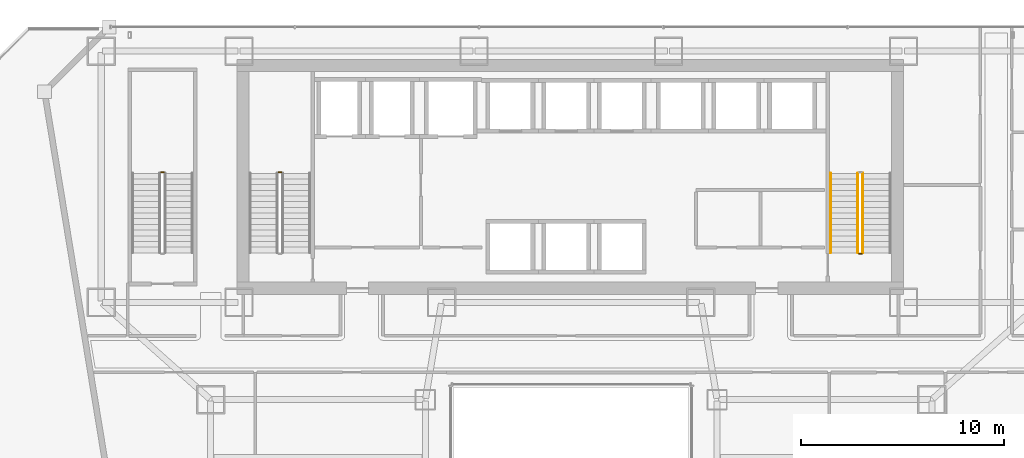
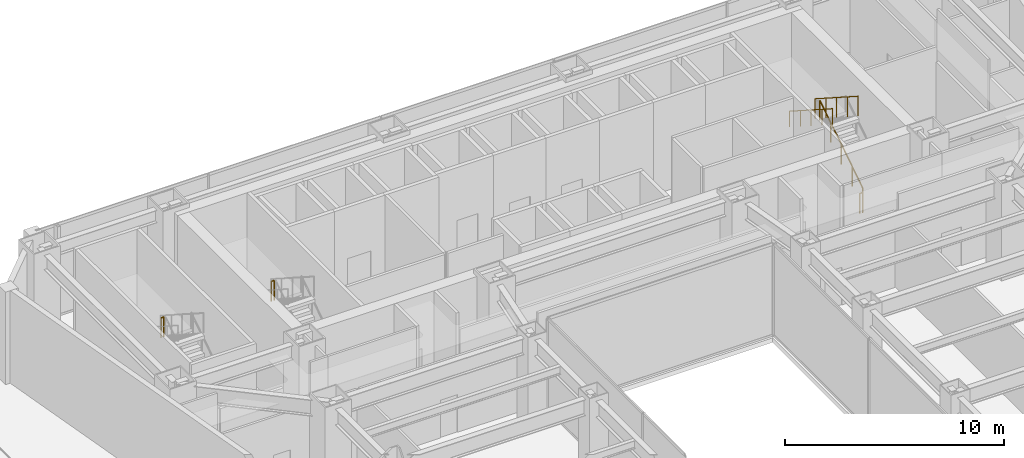
# One storey, part 28 of 29: 6 railings.
"""IFC4 building model written with IfcOpenShell, lengths in metres."""

from ifc_helpers import new_model, si_unit, direction, frame, origin, origin_2d, place, context, subcontext, project, spatial, circle, extrude, material, type_object, element, save


model = new_model("IFC4")

# Units and contexts
model_context = context("Model", 3, precision=1e-05, world=origin(), true_north=direction((0.0, 1.0)))
body_context = subcontext(model_context, "Body", "Model", "MODEL_VIEW")
ifc_project = project(units=[si_unit("LENGTHUNIT", "METRE"), si_unit("AREAUNIT", "SQUARE_METRE"), si_unit("VOLUMEUNIT", "CUBIC_METRE"), si_unit("PLANEANGLEUNIT", "RADIAN"), si_unit("MASSUNIT", "GRAM", prefix="KILO")], contexts=[model_context])

# Site, building, storey
site_placement = place(None, origin())
site = spatial("IfcSite", under=ifc_project, at=site_placement, CompositionType="ELEMENT")
building_placement = place(site_placement, origin())
building = spatial("IfcBuilding", under=site, at=building_placement, Name="Saevonmaru Cultural Tower", CompositionType="ELEMENT")
storey_placement = place(building_placement, frame((0.0, 0.0, 27.60009765625)))
storey = spatial("IfcBuildingStorey", under=building, at=storey_placement, Name="L05", CompositionType="ELEMENT", Elevation=27.60009765625)

# Railings
ifc_material_1 = material(Name="Architectural Painted Steel", Category="steel")
railing_type_1 = type_object("IfcRailingType", Name="RL-STAIR-GUARD", PredefinedType="GUARDRAIL", material=ifc_material_1)
railing_1_placement = place(storey_placement, frame((15.699951171875, 48.820068359375, 2.699951171875)))
element("IfcRailing", 1, at=railing_1_placement, inside=storey, type_object=railing_type_1, Name="L05 ST-1 stair guard 2", PredefinedType="GUARDRAIL", context=body_context, shape_type="SweptSolid", body=[
    extrude(circle(Radius=0.02392578125, at=origin_2d()), frame((0.0, 0.0, 1.09619140625), z_axis=(-1.0, 0.0, 0.0), x_axis=(0.0, -1.0, 0.0)), (0.0, 0.0, 1.0), 0.14990234375),
    extrude(circle(Radius=0.02099609375, at=origin_2d()), origin(), (0.0, 0.0, 1.0), 1.072021484375),
    extrude(circle(Radius=0.02099609375, at=origin_2d()), frame((-0.14990234375, 0.0, 0.0)), (0.0, 0.0, 1.0), 1.072021484375),
])
railing_2_placement = place(storey_placement, frame((44.39990234375, 44.85009765625, 0.179931640625)))
element("IfcRailing", 2, at=railing_2_placement, inside=storey, type_object=railing_type_1, Name="L05 ST-2 stair guard 1", PredefinedType="GUARDRAIL", context=body_context, shape_type="SweptSolid", body=[
    extrude(circle(Radius=0.02392578125, at=origin_2d()), frame((0.0, 0.0, 1.09619140625), z_axis=(0.0, 0.841171666519, 0.540768182723), x_axis=(-1.0, 0.0, 0.0)), (0.0, 0.0, 1.0), 4.66015625),
    extrude(circle(Radius=0.02099609375, at=origin_2d()), origin(), (0.0, 0.0, 1.0), 1.072021484375),
    extrude(circle(Radius=0.02099609375, at=origin_2d()), frame((0.0, 0.97998046875, 0.6298828125)), (0.0, 0.0, 1.0), 1.072021484375),
    extrude(circle(Radius=0.02099609375, at=origin_2d()), frame((0.0, 1.9599609375, 1.260009765625)), (0.0, 0.0, 1.0), 1.072021484375),
    extrude(circle(Radius=0.02099609375, at=origin_2d()), frame((0.0, 2.93994140625, 1.89013671875)), (0.0, 0.0, 1.0), 1.072021484375),
    extrude(circle(Radius=0.02099609375, at=origin_2d()), frame((0.0, 3.919921875, 2.52001953125)), (0.0, 0.0, 1.0), 1.072021484375),
])
railing_3_placement = place(storey_placement, frame((44.14990234375, 48.77001953125, 2.8798828125)))
element("IfcRailing", 3, at=railing_3_placement, inside=storey, type_object=railing_type_1, Name="L05 ST-2 stair guard 3", PredefinedType="GUARDRAIL", context=body_context, shape_type="SweptSolid", body=[
    extrude(circle(Radius=0.02392578125, at=origin_2d()), frame((0.0, 0.0, 1.09619140625), z_axis=(0.0, -0.841171666519, 0.540768182723), x_axis=(1.0, 0.0, 0.0)), (0.0, 0.0, 1.0), 4.66015625),
    extrude(circle(Radius=0.02099609375, at=origin_2d()), origin(), (0.0, 0.0, 1.0), 1.072021484375),
    extrude(circle(Radius=0.02099609375, at=origin_2d()), frame((0.0, -0.97998046875, 0.6298828125)), (0.0, 0.0, 1.0), 1.072021484375),
    extrude(circle(Radius=0.02099609375, at=origin_2d()), frame((0.0, -1.9599609375, 1.260009765625)), (0.0, 0.0, 1.0), 1.072021484375),
    extrude(circle(Radius=0.02099609375, at=origin_2d()), frame((0.0, -2.93994140625, 1.89013671875)), (0.0, 0.0, 1.0), 1.072021484375),
    extrude(circle(Radius=0.02099609375, at=origin_2d()), frame((0.0, -3.919921875, 2.52001953125)), (0.0, 0.0, 1.0), 1.072021484375),
])
railing_4_placement = place(storey_placement, frame((44.35009765625, 44.800048828125, 0.0)))
element("IfcRailing", 4, at=railing_4_placement, inside=storey, type_object=railing_type_1, Name="L05 ST-2 stair guard 4", PredefinedType="GUARDRAIL", context=body_context, shape_type="SweptSolid", body=[
    extrude(circle(Radius=0.02392578125, at=origin_2d()), frame((0.0, 0.0, 1.09619140625), z_axis=(-1.0, 0.0, 0.0), x_axis=(0.0, -1.0, 0.0)), (0.0, 0.0, 1.0), 0.150146484375),
    extrude(circle(Radius=0.02099609375, at=origin_2d()), origin(), (0.0, 0.0, 1.0), 1.072021484375),
    extrude(circle(Radius=0.02099609375, at=origin_2d()), frame((-0.150146484375, 0.0, 0.0)), (0.0, 0.0, 1.0), 1.072021484375),
])
railing_5_placement = place(storey_placement, frame((9.89990234375, 48.820068359375, 2.699951171875)))
element("IfcRailing", 5, at=railing_5_placement, inside=storey, type_object=railing_type_1, Name="L05 ST-3 stair guard 2", PredefinedType="GUARDRAIL", context=body_context, shape_type="SweptSolid", body=[
    extrude(circle(Radius=0.02392578125, at=origin_2d()), frame((0.0, 0.0, 1.09619140625), z_axis=(-1.0, 0.0, 0.0), x_axis=(0.0, -1.0, 0.0)), (0.0, 0.0, 1.0), 0.14990234375),
    extrude(circle(Radius=0.02099609375, at=origin_2d()), origin(), (0.0, 0.0, 1.0), 1.072021484375),
    extrude(circle(Radius=0.02099609375, at=origin_2d()), frame((-0.14990234375, 0.0, 0.0)), (0.0, 0.0, 1.0), 1.072021484375),
])
ifc_material_2 = material(Name="Satin Bronze Anodised Aluminium", Category="aluminium")
railing_type_2 = type_object("IfcRailingType", Name="RL-STAIR-HANDRAIL", PredefinedType="HANDRAIL", material=ifc_material_2)
railing_6_placement = place(storey_placement, frame((42.800048828125, 48.77001953125, 2.8798828125)))
element("IfcRailing", 6, at=railing_6_placement, inside=storey, type_object=railing_type_2, Name="L05 ST-2 stair handrail 2", PredefinedType="HANDRAIL", context=body_context, shape_type="SweptSolid", body=[
    extrude(circle(Radius=0.02392578125, at=origin_2d()), frame((0.0, 0.0, 0.8759765625), z_axis=(0.0, -0.841171666519, 0.540768182723), x_axis=(1.0, 0.0, 0.0)), (0.0, 0.0, 1.0), 4.66015625),
    extrude(circle(Radius=0.02099609375, at=origin_2d()), origin(), (0.0, 0.0, 1.0), 0.851806640625),
    extrude(circle(Radius=0.02099609375, at=origin_2d()), frame((0.0, -0.97998046875, 0.6298828125)), (0.0, 0.0, 1.0), 0.851806640625),
    extrude(circle(Radius=0.02099609375, at=origin_2d()), frame((0.0, -1.9599609375, 1.260009765625)), (0.0, 0.0, 1.0), 0.851806640625),
    extrude(circle(Radius=0.02099609375, at=origin_2d()), frame((0.0, -2.93994140625, 1.89013671875)), (0.0, 0.0, 1.0), 0.851806640625),
    extrude(circle(Radius=0.02099609375, at=origin_2d()), frame((0.0, -3.919921875, 2.52001953125)), (0.0, 0.0, 1.0), 0.851806640625),
])

save(model, "model.ifc")
